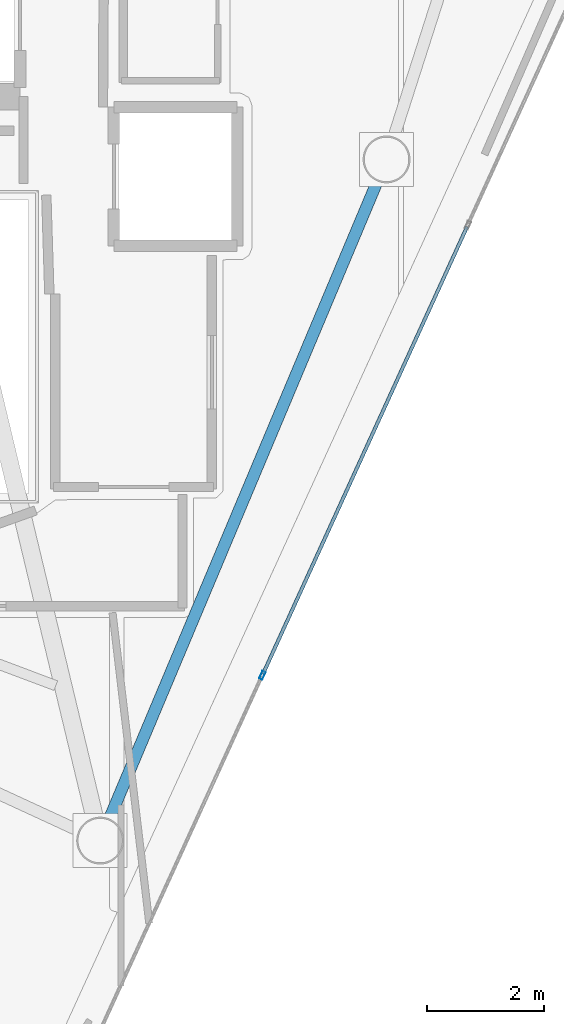
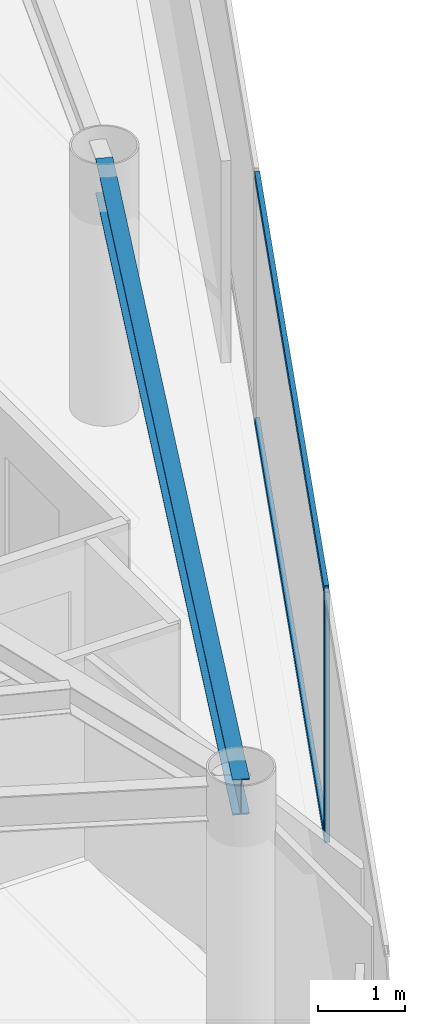
# One storey, part 5 of 19: 3 members, 1 beam, 1 element without a shape of its own.
"""IFC4 building model written with IfcOpenShell, lengths in metres."""

from ifc_helpers import new_model, si_unit, direction, frame, origin, origin_2d, place, context, subcontext, project, spatial, hollow_rectangle, i_section, extrude, material, layer, layer_set, material_profile, profile_set, type_object, element, aggregate, save


model = new_model("IFC4")

# Units and contexts
model_context = context("Model", 3, precision=1e-05, world=origin(), true_north=direction((0.0, 1.0)))
body_context = subcontext(model_context, "Body", "Model", "MODEL_VIEW")
ifc_project = project(units=[si_unit("LENGTHUNIT", "METRE"), si_unit("AREAUNIT", "SQUARE_METRE"), si_unit("VOLUMEUNIT", "CUBIC_METRE"), si_unit("PLANEANGLEUNIT", "RADIAN"), si_unit("MASSUNIT", "GRAM", prefix="KILO")], contexts=[model_context])

# Site, building, storey
site_placement = place(None, origin())
site = spatial("IfcSite", under=ifc_project, at=site_placement, CompositionType="ELEMENT")
building_placement = place(site_placement, origin())
building = spatial("IfcBuilding", under=site, at=building_placement, Name="Qianvela Tower", CompositionType="ELEMENT")
storey_placement = place(building_placement, frame((0.0, 0.0, 325.89990234375)))
storey = spatial("IfcBuildingStorey", under=building, at=storey_placement, Name="L84", CompositionType="ELEMENT", Elevation=325.89990234375)

# Beam
ifc_material_1 = material(Name="Steel Q355B", Category="steel")
ifc_material_profile_1 = material_profile(ifc_material_1, i_section(OverallWidth=0.199951171875, OverallDepth=0.5, WebThickness=0.010009765625, FlangeThickness=0.01611328125, at=origin_2d()), Name="HN500x200x10x16")
ifc_profile_set_1 = profile_set([ifc_material_profile_1], Name="Steel Q355B")
beam_type = type_object("IfcBeamType", Name="BM-HN500-GIRD", PredefinedType="BEAM", material=ifc_profile_set_1)
beam_placement = place(storey_placement, frame((41.217041015625, 12.087890625, 3.26806640625), z_axis=(0.387547057173, 0.921849921883, 0.0), x_axis=(-0.921849921883, 0.387547057173, 0.0)))
element("IfcBeam", 1, at=beam_placement, inside=storey, type_object=beam_type, Name="L84 Perimeter Ring Spandrel Girder 5", PredefinedType="BEAM", context=body_context, shape_type="SweptSolid", body=[
    extrude(i_section(OverallWidth=0.199951171875, OverallDepth=0.5, WebThickness=0.010009765625, FlangeThickness=0.01611328125, at=origin_2d()), origin(), (0.0, 0.0, 1.0), 12.586669921875),
])

# Curtain wall, members
ifc_material_2 = material(Name="Anodised Architectural Aluminium and Low-E Glass", Category="aluminium")
ifc_layer = layer(ifc_material_2, 0.14990234375)
ifc_layer_set = layer_set([ifc_layer], Name="Anodised Architectural Aluminium and Low-E Glass")
curtain_wall_type = type_object("IfcCurtainWallType", Name="CW-COLIV-Z78", PredefinedType="USERDEFINED", material=ifc_layer_set)
curtain_wall_placement = place(storey_placement, origin())
curtain_wall = element("IfcCurtainWall", 2, at=curtain_wall_placement, inside=storey, type_object=curtain_wall_type, Name="L84 CW-COLIV-Z78 Curtain Wall 06A", ObjectType="CURTAIN_WALL_SYSTEM", PredefinedType="USERDEFINED")
ifc_material_3 = material(Name="Anodised Architectural Aluminium 6063-T6", Category="aluminium")
ifc_material_profile_2 = material_profile(ifc_material_3, hollow_rectangle(XDim=0.06005859375, YDim=0.139892578125, WallThickness=0.00439453125, at=origin_2d()), Name="ALU-MULL-60x140")
ifc_profile_set_2 = profile_set([ifc_material_profile_2], Name="Anodised Architectural Aluminium 6063-T6")
member_type_1 = type_object("IfcMemberType", Name="CW-COLIV-Z78-MULL", PredefinedType="MULLION", material=ifc_profile_set_2)
member_1_placement = place(storey_placement, frame((43.979736328125, 14.901611328125, 0.0), z_axis=(0.0, 0.0, 1.0), x_axis=(-0.909766445507, 0.415120482066, 0.0)))
member_1 = element("IfcMember", 3, at=member_1_placement, type_object=member_type_1, Name="CW-6 mullion 2", PredefinedType="MULLION", context=body_context, shape_type="SweptSolid", body=[
    extrude(hollow_rectangle(XDim=0.06005859375, YDim=0.139892578125, WallThickness=0.00439453125, at=origin_2d()), origin(), (0.0, 0.0, 1.0), 3.52001953125),
])
ifc_material_4 = material(Name="Anodised Architectural Aluminium 6063-T6", Category="aluminium")
ifc_material_profile_3 = material_profile(ifc_material_4, hollow_rectangle(XDim=0.06005859375, YDim=0.114990234375, WallThickness=0.00390625, at=origin_2d()), Name="ALU-TRAN-60x115")
ifc_profile_set_3 = profile_set([ifc_material_profile_3], Name="Anodised Architectural Aluminium 6063-T6")
member_type_2 = type_object("IfcMemberType", Name="CW-COLIV-Z78-TRAN", PredefinedType="USERDEFINED", material=ifc_profile_set_3)
member_2_placement = place(storey_placement, frame((43.9921875, 14.9287109375, 0.030029296875), z_axis=(0.415125476672, 0.909764166484, 0.0), x_axis=(-0.909764166484, 0.415125476672, 0.0)))
member_2 = element("IfcMember", 4, at=member_2_placement, type_object=member_type_2, Name="CW-6 transom 2.1", ObjectType="TRANSOM", PredefinedType="USERDEFINED", context=body_context, shape_type="SweptSolid", body=[
    extrude(hollow_rectangle(XDim=0.06005859375, YDim=0.114990234375, WallThickness=0.00390625, at=origin_2d()), origin(), (0.0, 0.0, 1.0), 8.3701171875),
])
member_3_placement = place(storey_placement, frame((43.9921875, 14.9287109375, 3.489990234375), z_axis=(0.415125476672, 0.909764166484, 0.0), x_axis=(-0.909764166484, 0.415125476672, 0.0)))
member_3 = element("IfcMember", 5, at=member_3_placement, type_object=member_type_2, Name="CW-6 transom 2.2", ObjectType="TRANSOM", PredefinedType="USERDEFINED", context=body_context, shape_type="SweptSolid", body=[
    extrude(hollow_rectangle(XDim=0.06005859375, YDim=0.114990234375, WallThickness=0.00390625, at=origin_2d()), origin(), (0.0, 0.0, 1.0), 8.3701171875),
])
aggregate(curtain_wall, [member_1, member_2, member_3])

save(model, "model.ifc")
